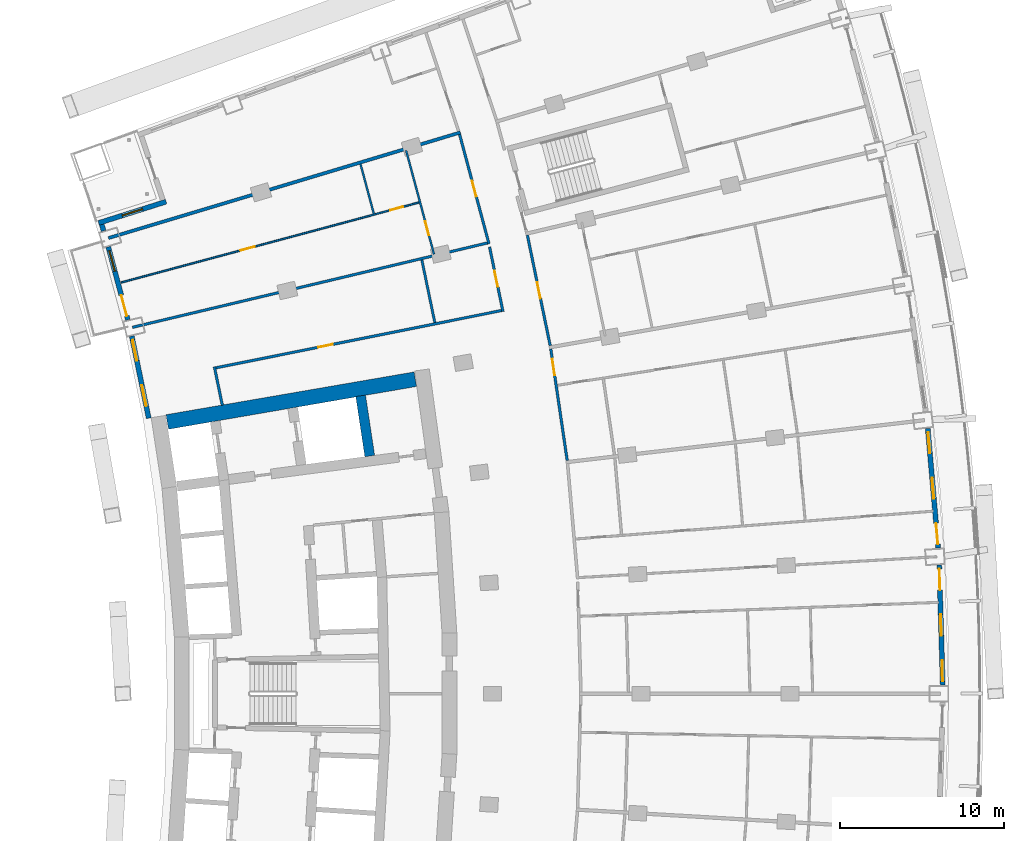
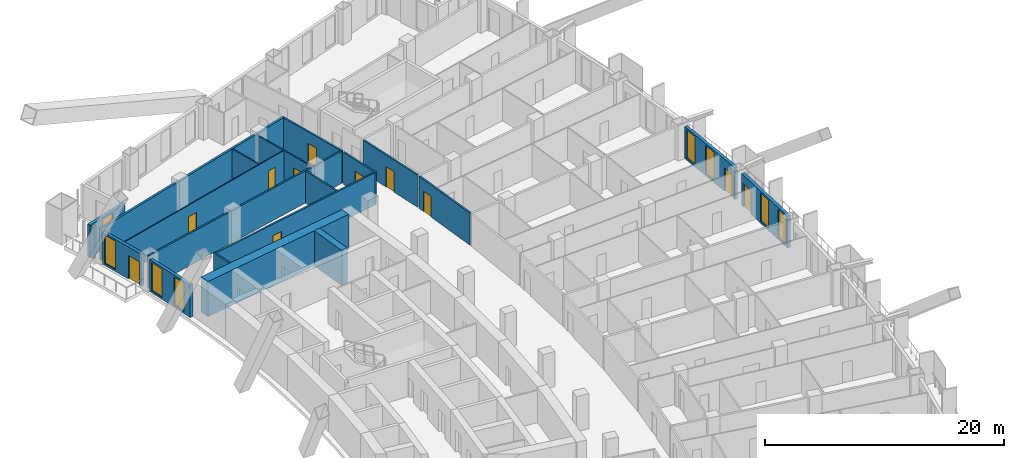
# One storey, part 19 of 25: 20 walls, 11 doors, 8 windows, 19 openings.
"""IFC4 building model written with IfcOpenShell, lengths in metres."""

from ifc_helpers import new_model, si_unit, direction, frame, frame_2d, origin, place, context, subcontext, project, spatial, rectangle, extrude, material, layer, layer_set, type_object, element, fill, save


model = new_model("IFC4")

# Units and contexts
model_context = context("Model", 3, precision=1e-05, world=origin(), true_north=direction((0.0, 1.0)))
body_context = subcontext(model_context, "Body", "Model", "MODEL_VIEW")
ifc_project = project(units=[si_unit("LENGTHUNIT", "METRE"), si_unit("AREAUNIT", "SQUARE_METRE"), si_unit("VOLUMEUNIT", "CUBIC_METRE"), si_unit("PLANEANGLEUNIT", "RADIAN"), si_unit("MASSUNIT", "GRAM", prefix="KILO")], contexts=[model_context])

# Site, building, storey
site_placement = place(None, origin())
site = spatial("IfcSite", under=ifc_project, at=site_placement, CompositionType="ELEMENT")
building_placement = place(site_placement, origin())
building = spatial("IfcBuilding", under=site, at=building_placement, Name="Alderwake Tower", CompositionType="ELEMENT")
storey_placement = place(building_placement, frame((0.0, 0.0, 42.800048828125)))
storey = spatial("IfcBuildingStorey", under=building, at=storey_placement, Name="L09", CompositionType="ELEMENT", Elevation=42.800048828125)

# Walls
ifc_material_1 = material(Name="Concrete C70/85", Category="concrete")
ifc_layer_1 = layer(ifc_material_1, 0.89990234375)
ifc_layer_set_1 = layer_set([ifc_layer_1], Name="Core wall outer 900 C70-85")
wall_type_1 = type_object("IfcWallType", Name="Core wall outer 900 C70-85", PredefinedType="SHEAR", material=ifc_layer_set_1)
wall_1_placement = place(storey_placement, frame((16.005615234375, 77.548828125, 0.0), z_axis=(0.0, 0.0, 1.0), x_axis=(0.985465815888, 0.169873852363, 0.0)))
element("IfcWall", 1, at=wall_1_placement, inside=storey, type_object=wall_type_1, Name="Core wall CW.053", PredefinedType="SHEAR", context=body_context, shape_type="SweptSolid", body=[
    extrude(rectangle(XDim=15.33056640625, YDim=0.89990234375, at=frame_2d((7.665283203125, 0.0))), origin(), (0.0, 0.0, 1.0), 3.599853515625),
])
ifc_material_2 = material(Name="Concrete C70/85", Category="concrete")
ifc_layer_2 = layer(ifc_material_2, 0.60009765625)
ifc_layer_set_2 = layer_set([ifc_layer_2], Name="Core wall spine 600 C70-85")
wall_type_2 = type_object("IfcWallType", Name="Core wall spine 600 C70-85", PredefinedType="SHEAR", material=ifc_layer_set_2)
wall_2_placement = place(storey_placement, frame((28.337646484375, 75.472412109375, 0.0), z_axis=(0.0, 0.0, 1.0), x_axis=(-0.149224787751, 0.988803298296, 0.0)))
element("IfcWall", 2, at=wall_2_placement, inside=storey, type_object=wall_type_2, Name="Core wall CW.001", PredefinedType="SHEAR", context=body_context, shape_type="SweptSolid", body=[
    extrude(rectangle(XDim=3.712158203125, YDim=0.60009765625, at=frame_2d((1.85595703125, 0.0))), origin(), (0.0, 0.0, 1.0), 3.599853515625),
])
ifc_material_3 = material(Name="Gypsum board on metal studs, rated")
ifc_layer_3 = layer(ifc_material_3, 0.159912109375)
ifc_layer_set_3 = layer_set([ifc_layer_3], Name="Corridor wall 160")
wall_type_3 = type_object("IfcWallType", Name="Corridor wall 160", PredefinedType="PARTITIONING", material=ifc_layer_set_3)
wall_3_placement = place(storey_placement, frame((18.874755859375, 80.910400390625, 0.0), z_axis=(0.0, 0.0, 1.0), x_axis=(0.202312089075, -0.979321100873, 0.0)))
element("IfcWall", 3, at=wall_3_placement, inside=storey, type_object=wall_type_3, Name="WL/L09/W16", PredefinedType="PARTITIONING", context=body_context, shape_type="SweptSolid", body=[
    extrude(rectangle(XDim=2.39306640625, YDim=0.159912109375, at=frame_2d((1.196533203125, 0.0))), origin(), (0.0, 0.0, 1.0), 3.280029296875),
])

# Wall, opening, door
wall_4_placement = place(storey_placement, frame((35.600830078125, 88.392578125, 0.0), z_axis=(0.0, 0.0, 1.0), x_axis=(-0.2593979597, 0.965770520622, 0.0)))
wall_4 = element("IfcWall", 4, at=wall_4_placement, inside=storey, type_object=wall_type_3, Name="WL/L09/W21", PredefinedType="PARTITIONING", context=body_context, shape_type="SweptSolid", body=[
    extrude(rectangle(XDim=6.9072265625, YDim=0.159912109375, at=frame_2d((3.45361328125, 0.0))), origin(), (0.0, 0.0, 1.0), 3.280029296875),
])
opening_1_placement = place(wall_4_placement, frame((2.9931640625, 0.0, 0.0)))
opening_1 = element("IfcOpeningElement", 5, at=opening_1_placement, cuts=wall_4, Name="Opening R02-U13.1", PredefinedType="OPENING", context=body_context, shape_type="SweptSolid", body=[
    extrude(rectangle(XDim=1.0, YDim=2.10009765625, at=frame_2d((0.5, 1.050048828125))), frame((0.0, 0.08984375, 0.0), z_axis=(0.0, -1.0, 0.0), x_axis=(1.0, 0.0, 0.0)), (0.0, 0.0, 1.0), 0.179931640625),
])
ifc_material_4 = material(Name="Solid timber leaf in steel frame", Category="steel")
door_type_1 = type_object("IfcDoorType", Name="Flat entrance door 1000 fire-rated", OperationType="SINGLE_SWING_LEFT", PredefinedType="DOOR", material=ifc_material_4)
door_1_placement = place(opening_1_placement, origin())
door_1 = element("IfcDoor", 6, at=door_1_placement, inside=storey, type_object=door_type_1, Name="DR/L09/U13.1", OperationType="SINGLE_SWING_LEFT", OverallHeight=2.10009765625, OverallWidth=1.0, PredefinedType="DOOR", context=body_context, shape_type="SweptSolid", body=[
    extrude(rectangle(XDim=1.0, YDim=2.10009765625, at=frame_2d((0.5, 1.050048828125))), frame((0.0, 0.02490234375, 0.0), z_axis=(0.0, -1.0, 0.0), x_axis=(1.0, 0.0, 0.0)), (0.0, 0.0, 1.0), 0.050048828125),
])
fill(opening_1, door_1)

# Wall
wall_5_placement = place(storey_placement, frame((35.502197265625, 88.451416015625, 0.0), z_axis=(0.0, 0.0, 1.0), x_axis=(-0.972894913244, -0.231247676278, 0.0)))
element("IfcWall", 7, at=wall_5_placement, inside=storey, type_object=wall_type_3, Name="WL/L09/W23", PredefinedType="PARTITIONING", context=body_context, shape_type="SweptSolid", body=[
    extrude(rectangle(XDim=22.220458984375, YDim=0.159912109375, at=frame_2d((11.1103515625, 0.0))), origin(), (0.0, 0.0, 1.0), 3.280029296875),
])

# Wall, opening, door
wall_6_placement = place(storey_placement, frame((36.451416015625, 84.272705078125, 0.0), z_axis=(0.0, 0.0, 1.0), x_axis=(-0.203258199701, 0.979125172924, 0.0)))
wall_6 = element("IfcWall", 8, at=wall_6_placement, inside=storey, type_object=wall_type_3, Name="WL/L09/W24", PredefinedType="PARTITIONING", context=body_context, shape_type="SweptSolid", body=[
    extrude(rectangle(XDim=4.020263671875, YDim=0.159912109375, at=frame_2d((2.01025390625, 0.0))), origin(), (0.0, 0.0, 1.0), 3.280029296875),
])
opening_2_placement = place(wall_6_placement, frame((1.549560546875, 0.0, 0.0)))
opening_2 = element("IfcOpeningElement", 9, at=opening_2_placement, cuts=wall_6, Name="Opening R02-SBN2", PredefinedType="OPENING", context=body_context, shape_type="SweptSolid", body=[
    extrude(rectangle(XDim=1.0, YDim=2.10009765625, at=frame_2d((0.5, 1.050048828125))), frame((0.0, 0.08984375, 0.0), z_axis=(0.0, -1.0, 0.0), x_axis=(1.0, 0.0, 0.0)), (0.0, 0.0, 1.0), 0.179931640625),
])
ifc_material_5 = material(Name="Steel-framed fire door leaf", Category="steel")
door_type_2 = type_object("IfcDoorType", Name="Plant room door 1000 fire-rated", OperationType="SINGLE_SWING_LEFT", PredefinedType="DOOR", material=ifc_material_5)
door_2_placement = place(opening_2_placement, origin())
door_2 = element("IfcDoor", 10, at=door_2_placement, inside=storey, type_object=door_type_2, Name="DR/L09/SBN2", OperationType="SINGLE_SWING_LEFT", OverallHeight=2.10009765625, OverallWidth=1.0, PredefinedType="DOOR", context=body_context, shape_type="SweptSolid", body=[
    extrude(rectangle(XDim=1.0, YDim=2.10009765625, at=frame_2d((0.5, 1.050048828125))), frame((0.0, 0.02490234375, 0.0), z_axis=(0.0, -1.0, 0.0), x_axis=(1.0, 0.0, 0.0)), (0.0, 0.0, 1.0), 0.050048828125),
])
fill(opening_2, door_2)

wall_7_placement = place(storey_placement, frame((18.969482421875, 80.84765625, 0.0), z_axis=(0.0, 0.0, 1.0), x_axis=(0.980470914622, 0.196664144112, 0.0)))
wall_7 = element("IfcWall", 11, at=wall_7_placement, inside=storey, type_object=wall_type_3, Name="WL/L09/W28", PredefinedType="PARTITIONING", context=body_context, shape_type="SweptSolid", body=[
    extrude(rectangle(XDim=17.733642578125, YDim=0.159912109375, at=frame_2d((8.86669921875, 0.0))), origin(), (0.0, 0.0, 1.0), 3.280029296875),
])
opening_3_placement = place(wall_7_placement, frame((6.35693359375, 0.0, 0.0)))
opening_3 = element("IfcOpeningElement", 12, at=opening_3_placement, cuts=wall_7, Name="Opening R02-SBN1", PredefinedType="OPENING", context=body_context, shape_type="SweptSolid", body=[
    extrude(rectangle(XDim=0.89990234375, YDim=2.10009765625, at=frame_2d((0.449951171875, 1.050048828125))), frame((0.0, 0.08984375, 0.0), z_axis=(0.0, -1.0, 0.0), x_axis=(1.0, 0.0, 0.0)), (0.0, 0.0, 1.0), 0.179931640625),
])
ifc_material_6 = material(Name="Painted timber leaf", Category="wood")
door_type_3 = type_object("IfcDoorType", Name="Room door 900", OperationType="SINGLE_SWING_LEFT", PredefinedType="DOOR", material=ifc_material_6)
door_3_placement = place(opening_3_placement, origin())
door_3 = element("IfcDoor", 13, at=door_3_placement, inside=storey, type_object=door_type_3, Name="DR/L09/SBN1", OperationType="SINGLE_SWING_LEFT", OverallHeight=2.10009765625, OverallWidth=0.89990234375, PredefinedType="DOOR", context=body_context, shape_type="SweptSolid", body=[
    extrude(rectangle(XDim=0.89990234375, YDim=2.10009765625, at=frame_2d((0.449951171875, 1.050048828125))), frame((0.0, 0.02490234375, 0.0), z_axis=(0.0, -1.0, 0.0), x_axis=(1.0, 0.0, 0.0)), (0.0, 0.0, 1.0), 0.050048828125),
])
fill(opening_3, door_3)

wall_8_placement = place(storey_placement, frame((37.937255859375, 88.927001953125, 0.0), z_axis=(0.0, 0.0, 1.0), x_axis=(0.20241288737, -0.979300272147, 0.0)))
wall_8 = element("IfcWall", 14, at=wall_8_placement, inside=storey, type_object=wall_type_3, Name="WL/L09/W34", PredefinedType="PARTITIONING", context=body_context, shape_type="SweptSolid", body=[
    extrude(rectangle(XDim=6.870361328125, YDim=0.159912109375, at=frame_2d((3.43505859375, 0.0))), origin(), (0.0, 0.0, 1.0), 3.280029296875),
])
opening_4_placement = place(wall_8_placement, frame((2.93505859375, 0.0, 0.0)))
opening_4 = element("IfcOpeningElement", 15, at=opening_4_placement, cuts=wall_8, Name="Opening R02-U10.2", PredefinedType="OPENING", context=body_context, shape_type="SweptSolid", body=[
    extrude(rectangle(XDim=1.0, YDim=2.10009765625, at=frame_2d((0.5, 1.050048828125))), frame((0.0, 0.08984375, 0.0), z_axis=(0.0, -1.0, 0.0), x_axis=(1.0, 0.0, 0.0)), (0.0, 0.0, 1.0), 0.179931640625),
])
door_4_placement = place(opening_4_placement, origin())
door_4 = element("IfcDoor", 16, at=door_4_placement, inside=storey, type_object=door_type_1, Name="DR/L09/U10.2", OperationType="SINGLE_SWING_LEFT", OverallHeight=2.10009765625, OverallWidth=1.0, PredefinedType="DOOR", context=body_context, shape_type="SweptSolid", body=[
    extrude(rectangle(XDim=1.0, YDim=2.10009765625, at=frame_2d((0.5, 1.050048828125))), frame((0.0, 0.02490234375, 0.0), z_axis=(0.0, -1.0, 0.0), x_axis=(1.0, 0.0, 0.0)), (0.0, 0.0, 1.0), 0.050048828125),
])
fill(opening_4, door_4)

wall_9_placement = place(storey_placement, frame((39.362548828125, 82.001953125, 0.0), z_axis=(0.0, 0.0, 1.0), x_axis=(0.145565626222, -0.98934859805, 0.0)))
wall_9 = element("IfcWall", 17, at=wall_9_placement, inside=storey, type_object=wall_type_3, Name="WL/L09/W35", PredefinedType="PARTITIONING", context=body_context, shape_type="SweptSolid", body=[
    extrude(rectangle(XDim=6.8681640625, YDim=0.159912109375, at=frame_2d((3.43408203125, 0.0))), origin(), (0.0, 0.0, 1.0), 3.280029296875),
])
opening_5_placement = place(wall_9_placement, frame((0.627685546875, 0.0, 0.0)))
opening_5 = element("IfcOpeningElement", 18, at=opening_5_placement, cuts=wall_9, Name="Opening R02-U09.3", PredefinedType="OPENING", context=body_context, shape_type="SweptSolid", body=[
    extrude(rectangle(XDim=1.0, YDim=2.10009765625, at=frame_2d((0.5, 1.050048828125))), frame((0.0, 0.08984375, 0.0), z_axis=(0.0, -1.0, 0.0), x_axis=(1.0, 0.0, 0.0)), (0.0, 0.0, 1.0), 0.179931640625),
])
door_5_placement = place(opening_5_placement, origin())
door_5 = element("IfcDoor", 19, at=door_5_placement, inside=storey, type_object=door_type_1, Name="DR/L09/U09.3", OperationType="SINGLE_SWING_LEFT", OverallHeight=2.10009765625, OverallWidth=1.0, PredefinedType="DOOR", context=body_context, shape_type="SweptSolid", body=[
    extrude(rectangle(XDim=1.0, YDim=2.10009765625, at=frame_2d((0.5, 1.050048828125))), frame((0.0, 0.02490234375, 0.0), z_axis=(0.0, -1.0, 0.0), x_axis=(1.0, 0.0, 0.0)), (0.0, 0.0, 1.0), 0.050048828125),
])
fill(opening_5, door_5)

# Wall, openings, door, windows
ifc_material_7 = material(Name="Precast concrete C50/60 spandrel panel", Category="concrete")
ifc_layer_4 = layer(ifc_material_7, 0.300048828125)
ifc_layer_set_4 = layer_set([ifc_layer_4], Name="External wall EW1 Precast concrete C50/60 spandrel")
wall_type_4 = type_object("IfcWallType", Name="External wall EW1 Precast concrete C50/60 spandrel", PredefinedType="SOLIDWALL", material=ifc_layer_set_4)
wall_10_placement = place(storey_placement, frame((63.234619140625, 61.5244140625, 0.0), z_axis=(0.0, 0.0, 1.0), x_axis=(-0.029139800133, 0.999575345859, 0.0)))
wall_10 = element("IfcWall", 20, at=wall_10_placement, inside=storey, type_object=wall_type_4, Name="External wall 17", PredefinedType="SOLIDWALL", context=body_context, shape_type="SweptSolid", body=[
    extrude(rectangle(XDim=7.305908203125, YDim=0.300048828125, at=frame_2d((3.65283203125, 0.0))), origin(), (0.0, 0.0, 1.0), 3.280029296875),
])
opening_6_placement = place(wall_10_placement, frame((0.222900390625, 0.0, 0.199951171875)))
opening_6 = element("IfcOpeningElement", 21, at=opening_6_placement, cuts=wall_10, Name="Opening W1", PredefinedType="OPENING", context=body_context, shape_type="SweptSolid", body=[
    extrude(rectangle(XDim=1.300048828125, YDim=2.89990234375, at=frame_2d((0.64990234375, 1.449951171875))), frame((0.0, 0.159912109375, 0.0), z_axis=(0.0, -1.0, 0.0), x_axis=(1.0, 0.0, 0.0)), (0.0, 0.0, 1.0), 0.320068359375),
])
opening_7_placement = place(wall_10_placement, frame((3.0029296875, 0.0, 0.199951171875)))
opening_7 = element("IfcOpeningElement", 22, at=opening_7_placement, cuts=wall_10, Name="Opening W1", PredefinedType="OPENING", context=body_context, shape_type="SweptSolid", body=[
    extrude(rectangle(XDim=1.300048828125, YDim=2.89990234375, at=frame_2d((0.64990234375, 1.449951171875))), frame((0.0, 0.159912109375, 0.0), z_axis=(0.0, -1.0, 0.0), x_axis=(1.0, 0.0, 0.0)), (0.0, 0.0, 1.0), 0.320068359375),
])
opening_8_placement = place(wall_10_placement, frame((5.783203125, 0.0, 0.0)))
opening_8 = element("IfcOpeningElement", 23, at=opening_8_placement, cuts=wall_10, Name="Opening D08", PredefinedType="OPENING", context=body_context, shape_type="SweptSolid", body=[
    extrude(rectangle(XDim=1.300048828125, YDim=2.39990234375, at=frame_2d((0.64990234375, 1.199951171875))), frame((0.0, 0.159912109375, 0.0), z_axis=(0.0, -1.0, 0.0), x_axis=(1.0, 0.0, 0.0)), (0.0, 0.0, 1.0), 0.320068359375),
])
ifc_material_8 = material(Name="Bronze tinted glass in aluminium frame", Category="aluminium")
door_type_4 = type_object("IfcDoorType", Name="Balcony door BD sliding", OperationType="SLIDING_TO_LEFT", PredefinedType="DOOR", material=ifc_material_8)
door_6_placement = place(opening_8_placement, origin())
door_6 = element("IfcDoor", 24, at=door_6_placement, inside=storey, type_object=door_type_4, Name="Door D08", OperationType="SLIDING_TO_LEFT", OverallHeight=2.39990234375, OverallWidth=1.300048828125, PredefinedType="DOOR", context=body_context, shape_type="SweptSolid", body=[
    extrude(rectangle(XDim=1.300048828125, YDim=2.39990234375, at=frame_2d((0.64990234375, 1.199951171875))), frame((0.0, 0.02490234375, 0.0), z_axis=(0.0, -1.0, 0.0), x_axis=(1.0, 0.0, 0.0)), (0.0, 0.0, 1.0), 0.050048828125),
])
fill(opening_8, door_6)
ifc_material_9 = material(Name="Bronze tinted glass in aluminium frame", Category="aluminium")
window_type = type_object("IfcWindowType", Name="Window W1 tall fixed and vent", PartitioningType="DOUBLE_PANEL_VERTICAL", PredefinedType="WINDOW", material=ifc_material_9)
window_1_placement = place(opening_6_placement, origin())
window_1 = element("IfcWindow", 25, at=window_1_placement, inside=storey, type_object=window_type, Name="Window W1 tall fixed and vent", OverallHeight=2.89990234375, OverallWidth=1.300048828125, PartitioningType="DOUBLE_PANEL_VERTICAL", PredefinedType="WINDOW", context=body_context, shape_type="SweptSolid", body=[
    extrude(rectangle(XDim=1.300048828125, YDim=2.89990234375, at=frame_2d((0.64990234375, 1.449951171875))), frame((0.0, 0.030029296875, 0.0), z_axis=(0.0, -1.0, 0.0), x_axis=(1.0, 0.0, 0.0)), (0.0, 0.0, 1.0), 0.06005859375),
])
fill(opening_6, window_1)
window_2_placement = place(opening_7_placement, origin())
window_2 = element("IfcWindow", 26, at=window_2_placement, inside=storey, type_object=window_type, Name="Window W1 tall fixed and vent", OverallHeight=2.89990234375, OverallWidth=1.300048828125, PartitioningType="DOUBLE_PANEL_VERTICAL", PredefinedType="WINDOW", context=body_context, shape_type="SweptSolid", body=[
    extrude(rectangle(XDim=1.300048828125, YDim=2.89990234375, at=frame_2d((0.64990234375, 1.449951171875))), frame((0.0, 0.030029296875, 0.0), z_axis=(0.0, -1.0, 0.0), x_axis=(1.0, 0.0, 0.0)), (0.0, 0.0, 1.0), 0.06005859375),
])
fill(opening_7, window_2)

wall_11_placement = place(storey_placement, frame((62.96044921875, 69.8740234375, 0.0), z_axis=(0.0, 0.0, 1.0), x_axis=(-0.087383747715, 0.996174723949, 0.0)))
wall_11 = element("IfcWall", 27, at=wall_11_placement, inside=storey, type_object=wall_type_4, Name="External wall 18", PredefinedType="SOLIDWALL", context=body_context, shape_type="SweptSolid", body=[
    extrude(rectangle(XDim=7.305908203125, YDim=0.300048828125, at=frame_2d((3.65283203125, 0.0))), origin(), (0.0, 0.0, 1.0), 3.280029296875),
])
opening_9_placement = place(wall_11_placement, frame((0.222900390625, 0.0, 0.0)))
opening_9 = element("IfcOpeningElement", 28, at=opening_9_placement, cuts=wall_11, Name="Opening D09", PredefinedType="OPENING", context=body_context, shape_type="SweptSolid", body=[
    extrude(rectangle(XDim=1.300048828125, YDim=2.39990234375, at=frame_2d((0.64990234375, 1.199951171875))), frame((0.0, 0.159912109375, 0.0), z_axis=(0.0, -1.0, 0.0), x_axis=(1.0, 0.0, 0.0)), (0.0, 0.0, 1.0), 0.320068359375),
])
opening_10_placement = place(wall_11_placement, frame((3.0029296875, 0.0, 0.199951171875)))
opening_10 = element("IfcOpeningElement", 29, at=opening_10_placement, cuts=wall_11, Name="Opening W1", PredefinedType="OPENING", context=body_context, shape_type="SweptSolid", body=[
    extrude(rectangle(XDim=1.300048828125, YDim=2.89990234375, at=frame_2d((0.64990234375, 1.449951171875))), frame((0.0, 0.159912109375, 0.0), z_axis=(0.0, -1.0, 0.0), x_axis=(1.0, 0.0, 0.0)), (0.0, 0.0, 1.0), 0.320068359375),
])
opening_11_placement = place(wall_11_placement, frame((5.783203125, 0.0, 0.199951171875)))
opening_11 = element("IfcOpeningElement", 30, at=opening_11_placement, cuts=wall_11, Name="Opening W1", PredefinedType="OPENING", context=body_context, shape_type="SweptSolid", body=[
    extrude(rectangle(XDim=1.300048828125, YDim=2.89990234375, at=frame_2d((0.64990234375, 1.449951171875))), frame((0.0, 0.159912109375, 0.0), z_axis=(0.0, -1.0, 0.0), x_axis=(1.0, 0.0, 0.0)), (0.0, 0.0, 1.0), 0.320068359375),
])
door_7_placement = place(opening_9_placement, origin())
door_7 = element("IfcDoor", 31, at=door_7_placement, inside=storey, type_object=door_type_4, Name="Door D09", OperationType="SLIDING_TO_LEFT", OverallHeight=2.39990234375, OverallWidth=1.300048828125, PredefinedType="DOOR", context=body_context, shape_type="SweptSolid", body=[
    extrude(rectangle(XDim=1.300048828125, YDim=2.39990234375, at=frame_2d((0.64990234375, 1.199951171875))), frame((0.0, 0.02490234375, 0.0), z_axis=(0.0, -1.0, 0.0), x_axis=(1.0, 0.0, 0.0)), (0.0, 0.0, 1.0), 0.050048828125),
])
fill(opening_9, door_7)
window_3_placement = place(opening_10_placement, origin())
window_3 = element("IfcWindow", 32, at=window_3_placement, inside=storey, type_object=window_type, Name="Window W1 tall fixed and vent", OverallHeight=2.89990234375, OverallWidth=1.300048828125, PartitioningType="DOUBLE_PANEL_VERTICAL", PredefinedType="WINDOW", context=body_context, shape_type="SweptSolid", body=[
    extrude(rectangle(XDim=1.300048828125, YDim=2.89990234375, at=frame_2d((0.64990234375, 1.449951171875))), frame((0.0, 0.030029296875, 0.0), z_axis=(0.0, -1.0, 0.0), x_axis=(1.0, 0.0, 0.0)), (0.0, 0.0, 1.0), 0.06005859375),
])
fill(opening_10, window_3)
window_4_placement = place(opening_11_placement, origin())
window_4 = element("IfcWindow", 33, at=window_4_placement, inside=storey, type_object=window_type, Name="Window W1 tall fixed and vent", OverallHeight=2.89990234375, OverallWidth=1.300048828125, PartitioningType="DOUBLE_PANEL_VERTICAL", PredefinedType="WINDOW", context=body_context, shape_type="SweptSolid", body=[
    extrude(rectangle(XDim=1.300048828125, YDim=2.89990234375, at=frame_2d((0.64990234375, 1.449951171875))), frame((0.0, 0.030029296875, 0.0), z_axis=(0.0, -1.0, 0.0), x_axis=(1.0, 0.0, 0.0)), (0.0, 0.0, 1.0), 0.06005859375),
])
fill(opening_11, window_4)

# Wall
wall_12_placement = place(storey_placement, frame((12.01416015625, 89.5703125, 0.0), z_axis=(0.0, 0.0, 1.0), x_axis=(0.29468230117, -0.955595281161, 0.0)))
element("IfcWall", 34, at=wall_12_placement, inside=storey, type_object=wall_type_4, Name="External wall 32", PredefinedType="SOLIDWALL", context=body_context, shape_type="SweptSolid", body=[
    extrude(rectangle(XDim=0.402587890625, YDim=0.300048828125, at=frame_2d((0.201171875, 0.0))), origin(), (0.0, 0.0, 1.0), 3.280029296875),
])

# Wall, openings, door, window
wall_13_placement = place(storey_placement, frame((12.4130859375, 88.212890625, 0.0), z_axis=(0.0, 0.0, 1.0), x_axis=(0.259495671332, -0.965744270788, 0.0)))
wall_13 = element("IfcWall", 35, at=wall_13_placement, inside=storey, type_object=wall_type_4, Name="External wall 33", PredefinedType="SOLIDWALL", context=body_context, shape_type="SweptSolid", body=[
    extrude(rectangle(XDim=4.599609375, YDim=0.300048828125, at=frame_2d((2.2998046875, 0.0))), origin(), (0.0, 0.0, 1.0), 3.280029296875),
])
opening_12_placement = place(wall_13_placement, frame((0.2412109375, 0.0, 0.199951171875)))
opening_12 = element("IfcOpeningElement", 36, at=opening_12_placement, cuts=wall_13, Name="Opening W1", PredefinedType="OPENING", context=body_context, shape_type="SweptSolid", body=[
    extrude(rectangle(XDim=1.300048828125, YDim=2.89990234375, at=frame_2d((0.64990234375, 1.449951171875))), frame((0.0, 0.159912109375, 0.0), z_axis=(0.0, -1.0, 0.0), x_axis=(1.0, 0.0, 0.0)), (0.0, 0.0, 1.0), 0.320068359375),
])
opening_13_placement = place(wall_13_placement, frame((3.058349609375, 0.0, 0.0)))
opening_13 = element("IfcOpeningElement", 37, at=opening_13_placement, cuts=wall_13, Name="Opening D15", PredefinedType="OPENING", context=body_context, shape_type="SweptSolid", body=[
    extrude(rectangle(XDim=1.300048828125, YDim=2.39990234375, at=frame_2d((0.64990234375, 1.199951171875))), frame((0.0, 0.159912109375, 0.0), z_axis=(0.0, -1.0, 0.0), x_axis=(1.0, 0.0, 0.0)), (0.0, 0.0, 1.0), 0.320068359375),
])
door_8_placement = place(opening_13_placement, origin())
door_8 = element("IfcDoor", 38, at=door_8_placement, inside=storey, type_object=door_type_4, Name="Door D15", OperationType="SLIDING_TO_LEFT", OverallHeight=2.39990234375, OverallWidth=1.300048828125, PredefinedType="DOOR", context=body_context, shape_type="SweptSolid", body=[
    extrude(rectangle(XDim=1.300048828125, YDim=2.39990234375, at=frame_2d((0.64990234375, 1.199951171875))), frame((0.0, 0.02490234375, 0.0), z_axis=(0.0, -1.0, 0.0), x_axis=(1.0, 0.0, 0.0)), (0.0, 0.0, 1.0), 0.050048828125),
])
fill(opening_13, door_8)
window_5_placement = place(opening_12_placement, origin())
window_5 = element("IfcWindow", 39, at=window_5_placement, inside=storey, type_object=window_type, Name="Window W1 tall fixed and vent", OverallHeight=2.89990234375, OverallWidth=1.300048828125, PartitioningType="DOUBLE_PANEL_VERTICAL", PredefinedType="WINDOW", context=body_context, shape_type="SweptSolid", body=[
    extrude(rectangle(XDim=1.300048828125, YDim=2.89990234375, at=frame_2d((0.64990234375, 1.449951171875))), frame((0.0, 0.030029296875, 0.0), z_axis=(0.0, -1.0, 0.0), x_axis=(1.0, 0.0, 0.0)), (0.0, 0.0, 1.0), 0.06005859375),
])
fill(opening_12, window_5)

# Wall, openings, windows
wall_14_placement = place(storey_placement, frame((13.842529296875, 82.77880859375, 0.0), z_axis=(0.0, 0.0, 1.0), x_axis=(0.202738354746, -0.979232944459, 0.0)))
wall_14 = element("IfcWall", 40, at=wall_14_placement, inside=storey, type_object=wall_type_4, Name="External wall 34", PredefinedType="SOLIDWALL", context=body_context, shape_type="SweptSolid", body=[
    extrude(rectangle(XDim=5.1083984375, YDim=0.300048828125, at=frame_2d((2.55419921875, 0.0))), origin(), (0.0, 0.0, 1.0), 3.280029296875),
])
opening_14_placement = place(wall_14_placement, frame((0.239013671875, 0.0, 0.199951171875)))
opening_14 = element("IfcOpeningElement", 41, at=opening_14_placement, cuts=wall_14, Name="Opening W1", PredefinedType="OPENING", context=body_context, shape_type="SweptSolid", body=[
    extrude(rectangle(XDim=1.300048828125, YDim=2.89990234375, at=frame_2d((0.64990234375, 1.449951171875))), frame((0.0, 0.159912109375, 0.0), z_axis=(0.0, -1.0, 0.0), x_axis=(1.0, 0.0, 0.0)), (0.0, 0.0, 1.0), 0.320068359375),
])
opening_15_placement = place(wall_14_placement, frame((3.0517578125, 0.0, 0.199951171875)))
opening_15 = element("IfcOpeningElement", 42, at=opening_15_placement, cuts=wall_14, Name="Opening W1", PredefinedType="OPENING", context=body_context, shape_type="SweptSolid", body=[
    extrude(rectangle(XDim=1.300048828125, YDim=2.89990234375, at=frame_2d((0.64990234375, 1.449951171875))), frame((0.0, 0.159912109375, 0.0), z_axis=(0.0, -1.0, 0.0), x_axis=(1.0, 0.0, 0.0)), (0.0, 0.0, 1.0), 0.320068359375),
])
window_6_placement = place(opening_14_placement, origin())
window_6 = element("IfcWindow", 43, at=window_6_placement, inside=storey, type_object=window_type, Name="Window W1 tall fixed and vent", OverallHeight=2.89990234375, OverallWidth=1.300048828125, PartitioningType="DOUBLE_PANEL_VERTICAL", PredefinedType="WINDOW", context=body_context, shape_type="SweptSolid", body=[
    extrude(rectangle(XDim=1.300048828125, YDim=2.89990234375, at=frame_2d((0.64990234375, 1.449951171875))), frame((0.0, 0.030029296875, 0.0), z_axis=(0.0, -1.0, 0.0), x_axis=(1.0, 0.0, 0.0)), (0.0, 0.0, 1.0), 0.06005859375),
])
fill(opening_14, window_6)
window_7_placement = place(opening_15_placement, origin())
window_7 = element("IfcWindow", 44, at=window_7_placement, inside=storey, type_object=window_type, Name="Window W1 tall fixed and vent", OverallHeight=2.89990234375, OverallWidth=1.300048828125, PartitioningType="DOUBLE_PANEL_VERTICAL", PredefinedType="WINDOW", context=body_context, shape_type="SweptSolid", body=[
    extrude(rectangle(XDim=1.300048828125, YDim=2.89990234375, at=frame_2d((0.64990234375, 1.449951171875))), frame((0.0, 0.030029296875, 0.0), z_axis=(0.0, -1.0, 0.0), x_axis=(1.0, 0.0, 0.0)), (0.0, 0.0, 1.0), 0.06005859375),
])
fill(opening_15, window_7)

# Wall, opening, window
ifc_material_10 = material(Name="Bronze metal cladding on lightweight framing")
ifc_layer_5 = layer(ifc_material_10, 0.300048828125)
ifc_layer_set_5 = layer_set([ifc_layer_5], Name="External wall EW2 bronze metal cladding")
wall_type_5 = type_object("IfcWallType", Name="External wall EW2 bronze metal cladding", PredefinedType="SOLIDWALL", material=ifc_layer_set_5)
wall_15_placement = place(storey_placement, frame((15.932373046875, 90.966552734375, 0.0), z_axis=(0.0, 0.0, 1.0), x_axis=(-0.953473772386, -0.301475978103, 0.0)))
wall_15 = element("IfcWall", 45, at=wall_15_placement, inside=storey, type_object=wall_type_5, Name="External wall 31", PredefinedType="SOLIDWALL", context=body_context, shape_type="SweptSolid", body=[
    extrude(rectangle(XDim=4.305908203125, YDim=0.300048828125, at=frame_2d((2.15283203125, 0.0))), origin(), (0.0, 0.0, 1.0), 3.280029296875),
])
opening_16_placement = place(wall_15_placement, frame((1.5029296875, 0.0, 0.199951171875)))
opening_16 = element("IfcOpeningElement", 46, at=opening_16_placement, cuts=wall_15, Name="Opening W1", PredefinedType="OPENING", context=body_context, shape_type="SweptSolid", body=[
    extrude(rectangle(XDim=1.300048828125, YDim=2.89990234375, at=frame_2d((0.64990234375, 1.449951171875))), frame((0.0, 0.159912109375, 0.0), z_axis=(0.0, -1.0, 0.0), x_axis=(1.0, 0.0, 0.0)), (0.0, 0.0, 1.0), 0.320068359375),
])
window_8_placement = place(opening_16_placement, origin())
window_8 = element("IfcWindow", 47, at=window_8_placement, inside=storey, type_object=window_type, Name="Window W1 tall fixed and vent", OverallHeight=2.89990234375, OverallWidth=1.300048828125, PartitioningType="DOUBLE_PANEL_VERTICAL", PredefinedType="WINDOW", context=body_context, shape_type="SweptSolid", body=[
    extrude(rectangle(XDim=1.300048828125, YDim=2.89990234375, at=frame_2d((0.64990234375, 1.449951171875))), frame((0.0, 0.030029296875, 0.0), z_axis=(0.0, -1.0, 0.0), x_axis=(1.0, 0.0, 0.0)), (0.0, 0.0, 1.0), 0.06005859375),
])
fill(opening_16, window_8)

# Walls
ifc_material_11 = material(Name="Dense block masonry wall", Category="masonry")
ifc_layer_6 = layer(ifc_material_11, 0.199951171875)
ifc_layer_set_6 = layer_set([ifc_layer_6], Name="Party wall 200")
wall_type_6 = type_object("IfcWallType", Name="Party wall 200", PredefinedType="SOLIDWALL", material=ifc_layer_set_6)
wall_16_placement = place(storey_placement, frame((12.423095703125, 88.7490234375, 0.0), z_axis=(0.0, 0.0, 1.0), x_axis=(0.957787847597, 0.287475979859, 0.0)))
element("IfcWall", 48, at=wall_16_placement, inside=storey, type_object=wall_type_6, Name="WL/L09/W01", PredefinedType="SOLIDWALL", context=body_context, shape_type="SweptSolid", body=[
    extrude(rectangle(XDim=22.38134765625, YDim=0.199951171875, at=frame_2d((11.190673828125, 0.0))), origin(), (0.0, 0.0, 1.0), 3.280029296875),
])
ifc_material_12 = material(Name="Gypsum shaft wall system, rated")
ifc_layer_7 = layer(ifc_material_12, 0.14990234375)
ifc_layer_set_7 = layer_set([ifc_layer_7], Name="Riser and shaft wall 150")
wall_type_7 = type_object("IfcWallType", Name="Riser and shaft wall 150", PredefinedType="PARTITIONING", material=ifc_layer_set_7)
wall_17_placement = place(storey_placement, frame((32.2998046875, 83.601318359375, 0.0), z_axis=(0.0, 0.0, 1.0), x_axis=(-0.202493797034, 0.979283545334, 0.0)))
element("IfcWall", 49, at=wall_17_placement, inside=storey, type_object=wall_type_7, Name="WL/L09/W13", PredefinedType="PARTITIONING", context=body_context, shape_type="SweptSolid", body=[
    extrude(rectangle(XDim=3.899169921875, YDim=0.14990234375, at=frame_2d((1.94970703125, 0.0))), origin(), (0.0, 0.0, 1.0), 3.280029296875),
])

# Wall, openings, doors
ifc_material_13 = material(Name="Gypsum board on metal studs")
ifc_layer_8 = layer(ifc_material_13, 0.10009765625)
ifc_layer_set_8 = layer_set([ifc_layer_8], Name="Unit partition 100")
wall_type_8 = type_object("IfcWallType", Name="Unit partition 100", PredefinedType="PARTITIONING", material=ifc_layer_set_8)
wall_18_placement = place(storey_placement, frame((13.194091796875, 86.0400390625, 0.0), z_axis=(0.0, 0.0, 1.0), x_axis=(0.965722811098, 0.259575522968, 0.0)))
wall_18 = element("IfcWall", 50, at=wall_18_placement, inside=storey, type_object=wall_type_8, Name="WL/L09/W64", PredefinedType="PARTITIONING", context=body_context, shape_type="SweptSolid", body=[
    extrude(rectangle(XDim=18.7900390625, YDim=0.10009765625, at=frame_2d((9.39501953125, 0.0))), origin(), (0.0, 0.0, 1.0), 3.280029296875),
])
opening_17_placement = place(wall_18_placement, frame((16.971435546875, 0.0, 0.0)))
opening_17 = element("IfcOpeningElement", 51, at=opening_17_placement, cuts=wall_18, Name="Opening R02-U13.3", PredefinedType="OPENING", context=body_context, shape_type="SweptSolid", body=[
    extrude(rectangle(XDim=0.800048828125, YDim=2.10009765625, at=frame_2d((0.39990234375, 1.050048828125))), frame((0.0, 0.06005859375, 0.0), z_axis=(0.0, -1.0, 0.0), x_axis=(1.0, 0.0, 0.0)), (0.0, 0.0, 1.0), 0.1201171875),
])
opening_18_placement = place(wall_18_placement, frame((7.526611328125, 0.0, 0.0)))
opening_18 = element("IfcOpeningElement", 52, at=opening_18_placement, cuts=wall_18, Name="Opening R02-U13.4", PredefinedType="OPENING", context=body_context, shape_type="SweptSolid", body=[
    extrude(rectangle(XDim=0.89990234375, YDim=2.10009765625, at=frame_2d((0.449951171875, 1.050048828125))), frame((0.0, 0.06005859375, 0.0), z_axis=(0.0, -1.0, 0.0), x_axis=(1.0, 0.0, 0.0)), (0.0, 0.0, 1.0), 0.1201171875),
])
ifc_material_14 = material(Name="Painted timber leaf", Category="wood")
door_type_5 = type_object("IfcDoorType", Name="Bathroom door 800", OperationType="SINGLE_SWING_LEFT", PredefinedType="DOOR", material=ifc_material_14)
door_9_placement = place(opening_17_placement, origin())
door_9 = element("IfcDoor", 53, at=door_9_placement, inside=storey, type_object=door_type_5, Name="DR/L09/U13.3", OperationType="SINGLE_SWING_LEFT", OverallHeight=2.10009765625, OverallWidth=0.800048828125, PredefinedType="DOOR", context=body_context, shape_type="SweptSolid", body=[
    extrude(rectangle(XDim=0.800048828125, YDim=2.10009765625, at=frame_2d((0.39990234375, 1.050048828125))), frame((0.0, 0.02490234375, 0.0), z_axis=(0.0, -1.0, 0.0), x_axis=(1.0, 0.0, 0.0)), (0.0, 0.0, 1.0), 0.050048828125),
])
fill(opening_17, door_9)
door_10_placement = place(opening_18_placement, origin())
door_10 = element("IfcDoor", 54, at=door_10_placement, inside=storey, type_object=door_type_3, Name="DR/L09/U13.4", OperationType="SINGLE_SWING_LEFT", OverallHeight=2.10009765625, OverallWidth=0.89990234375, PredefinedType="DOOR", context=body_context, shape_type="SweptSolid", body=[
    extrude(rectangle(XDim=0.89990234375, YDim=2.10009765625, at=frame_2d((0.449951171875, 1.050048828125))), frame((0.0, 0.02490234375, 0.0), z_axis=(0.0, -1.0, 0.0), x_axis=(1.0, 0.0, 0.0)), (0.0, 0.0, 1.0), 0.050048828125),
])
fill(opening_18, door_10)

# Wall
ifc_material_15 = material(Name="Moisture resistant gypsum board on metal studs")
ifc_layer_9 = layer(ifc_material_15, 0.1201171875)
ifc_layer_set_9 = layer_set([ifc_layer_9], Name="Wet room partition 120")
wall_type_9 = type_object("IfcWallType", Name="Wet room partition 120", PredefinedType="PARTITIONING", material=ifc_layer_set_9)
wall_19_placement = place(storey_placement, frame((27.77587890625, 93.25146484375, 0.0), z_axis=(0.0, 0.0, 1.0), x_axis=(0.258890741102, -0.965906612552, 0.0)))
element("IfcWall", 55, at=wall_19_placement, inside=storey, type_object=wall_type_9, Name="WL/L09/W40", PredefinedType="PARTITIONING", context=body_context, shape_type="SweptSolid", body=[
    extrude(rectangle(XDim=3.1298828125, YDim=0.1201171875, at=frame_2d((1.56494140625, 0.0))), origin(), (0.0, 0.0, 1.0), 3.280029296875),
])

# Wall, opening, door
wall_20_placement = place(storey_placement, frame((32.253173828125, 87.76123046875, 0.0), z_axis=(0.0, 0.0, 1.0), x_axis=(-0.259898609198, 0.965635911168, 0.0)))
wall_20 = element("IfcWall", 56, at=wall_20_placement, inside=storey, type_object=wall_type_9, Name="WL/L09/W44", PredefinedType="PARTITIONING", context=body_context, shape_type="SweptSolid", body=[
    extrude(rectangle(XDim=6.54931640625, YDim=0.1201171875, at=frame_2d((3.274658203125, 0.0))), origin(), (0.0, 0.0, 1.0), 3.280029296875),
])
opening_19_placement = place(wall_20_placement, frame((1.1923828125, 0.0, 0.0)))
opening_19 = element("IfcOpeningElement", 57, at=opening_19_placement, cuts=wall_20, Name="Opening R02-U13.2", PredefinedType="OPENING", context=body_context, shape_type="SweptSolid", body=[
    extrude(rectangle(XDim=0.89990234375, YDim=2.10009765625, at=frame_2d((0.449951171875, 1.050048828125))), frame((0.0, 0.070068359375, 0.0), z_axis=(0.0, -1.0, 0.0), x_axis=(1.0, 0.0, 0.0)), (0.0, 0.0, 1.0), 0.14013671875),
])
door_11_placement = place(opening_19_placement, origin())
door_11 = element("IfcDoor", 58, at=door_11_placement, inside=storey, type_object=door_type_3, Name="DR/L09/U13.2", OperationType="SINGLE_SWING_LEFT", OverallHeight=2.10009765625, OverallWidth=0.89990234375, PredefinedType="DOOR", context=body_context, shape_type="SweptSolid", body=[
    extrude(rectangle(XDim=0.89990234375, YDim=2.10009765625, at=frame_2d((0.449951171875, 1.050048828125))), frame((0.0, 0.02490234375, 0.0), z_axis=(0.0, -1.0, 0.0), x_axis=(1.0, 0.0, 0.0)), (0.0, 0.0, 1.0), 0.050048828125),
])
fill(opening_19, door_11)

save(model, "model.ifc")
